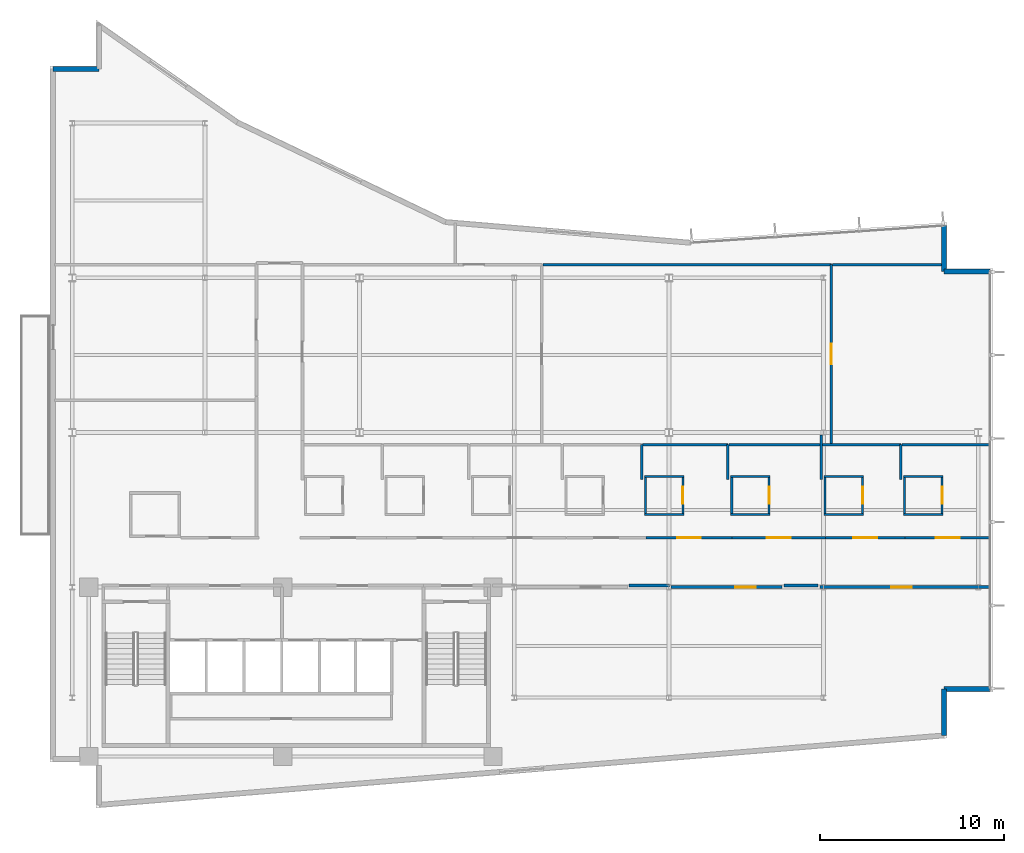
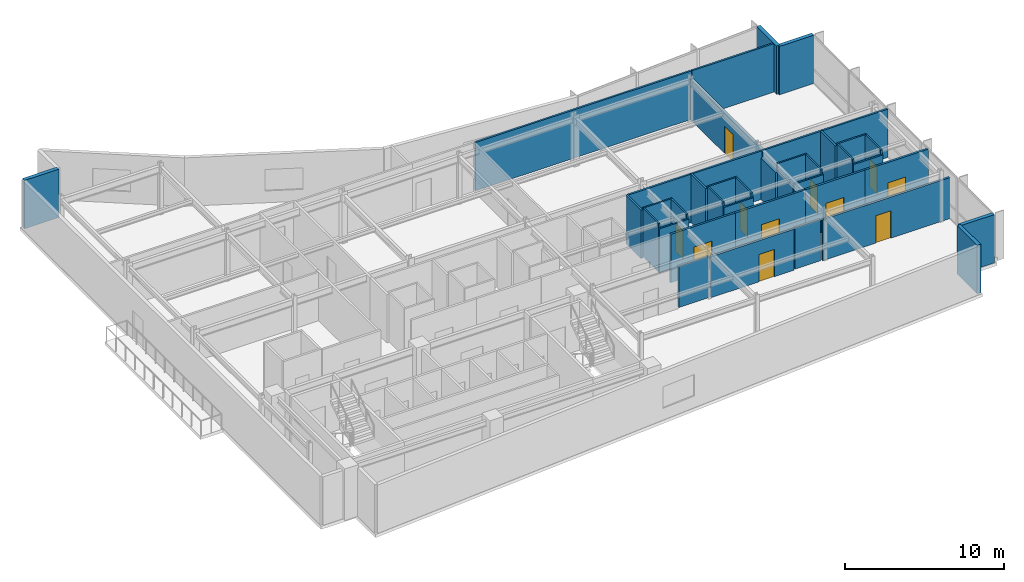
# One storey, part 13 of 17: 40 walls, 11 doors, 11 openings.
"""IFC4 building model written with IfcOpenShell, lengths in metres."""

from ifc_helpers import new_model, si_unit, direction, frame, frame_2d, origin, place, context, subcontext, project, spatial, rectangle, extrude, material, layer, layer_set, type_object, element, fill, save


model = new_model("IFC4")

# Units and contexts
model_context = context("Model", 3, precision=1e-05, world=origin(), true_north=direction((0.0, 1.0)))
body_context = subcontext(model_context, "Body", "Model", "MODEL_VIEW")
ifc_project = project(units=[si_unit("LENGTHUNIT", "METRE"), si_unit("AREAUNIT", "SQUARE_METRE"), si_unit("VOLUMEUNIT", "CUBIC_METRE"), si_unit("PLANEANGLEUNIT", "RADIAN"), si_unit("MASSUNIT", "GRAM", prefix="KILO")], contexts=[model_context])

# Site, building, storey
site_placement = place(None, origin())
site = spatial("IfcSite", under=ifc_project, at=site_placement, CompositionType="ELEMENT")
building_placement = place(site_placement, origin())
building = spatial("IfcBuilding", under=site, at=building_placement, Name="Varnakote Quay Hospital", CompositionType="ELEMENT")
storey_placement = place(building_placement, frame((0.0, 0.0, 227.64990234375)))
storey = spatial("IfcBuildingStorey", under=building, at=storey_placement, Name="L56", CompositionType="ELEMENT", Elevation=227.64990234375)

# Walls
ifc_material_1 = material(Name="Fire-rated acoustic gypsum stud wall", Category="gypsum")
ifc_layer_1 = layer(ifc_material_1, 0.159912109375)
ifc_layer_set_1 = layer_set([ifc_layer_1], Name="Fire-rated acoustic gypsum stud wall")
wall_type_1 = type_object("IfcWallType", Name="WL-COMP-160", PredefinedType="PARTITIONING", material=ifc_layer_set_1)
wall_1_placement = place(storey_placement, frame((31.439208984375, 12.080078125, 0.0), z_axis=(0.0, 0.0, 1.0), x_axis=(1.0, 0.0, 0.0)))
element("IfcWall", 1, at=wall_1_placement, inside=storey, type_object=wall_type_1, Name="L56 Corridor South Gap Wall", PredefinedType="PARTITIONING", context=body_context, shape_type="SweptSolid", body=[
    extrude(rectangle(XDim=2.199462890625, YDim=0.159912109375, at=frame_2d((1.099609375, 0.0))), origin(), (0.0, 0.0, 1.0), 3.152099609375),
])
wall_2_placement = place(storey_placement, frame((39.83935546875, 12.080078125, 0.0), z_axis=(0.0, 0.0, 1.0), x_axis=(1.0, 0.0, 0.0)))
element("IfcWall", 2, at=wall_2_placement, inside=storey, type_object=wall_type_1, Name="L56 Corridor South Gap Wall", PredefinedType="PARTITIONING", context=body_context, shape_type="SweptSolid", body=[
    extrude(rectangle(XDim=1.871337890625, YDim=0.159912109375, at=frame_2d((0.935546875, 0.0))), origin(), (0.0, 0.0, 1.0), 3.152099609375),
])
ifc_material_2 = material(Name="Moisture-resistant bathroom partition", Category="gypsum")
ifc_layer_2 = layer(ifc_material_2, 0.114990234375)
ifc_layer_set_2 = layer_set([ifc_layer_2], Name="Moisture-resistant bathroom partition")
wall_type_2 = type_object("IfcWallType", Name="WL-ENS-115", PredefinedType="PARTITIONING", material=ifc_layer_set_2)
wall_3_placement = place(storey_placement, frame((32.264892578125, 15.952392578125, 0.0), z_axis=(0.0, 0.0, 1.0), x_axis=(1.0, 0.0, 0.0)))
element("IfcWall", 3, at=wall_3_placement, inside=storey, type_object=wall_type_2, Name="L56 Inpatient En-Suite Bathroom 05 S Wall", PredefinedType="PARTITIONING", context=body_context, shape_type="SweptSolid", body=[
    extrude(rectangle(XDim=2.150146484375, YDim=0.114990234375, at=frame_2d((1.0751953125, 0.0))), origin(), (0.0, 0.0, 1.0), 3.378173828125),
])
wall_4_placement = place(storey_placement, frame((32.264892578125, 18.017578125, 0.0), z_axis=(0.0, 0.0, 1.0), x_axis=(1.0, 0.0, 0.0)))
element("IfcWall", 4, at=wall_4_placement, inside=storey, type_object=wall_type_2, Name="L56 Inpatient En-Suite Bathroom 05 N Wall", PredefinedType="PARTITIONING", context=body_context, shape_type="SweptSolid", body=[
    extrude(rectangle(XDim=2.150146484375, YDim=0.114990234375, at=frame_2d((1.0751953125, 0.0))), origin(), (0.0, 0.0, 1.0), 3.710205078125),
])
wall_5_placement = place(storey_placement, frame((32.322509765625, 16.010009765625, 0.0), z_axis=(0.0, 0.0, 1.0), x_axis=(0.0, 1.0, 0.0)))
element("IfcWall", 5, at=wall_5_placement, inside=storey, type_object=wall_type_2, Name="L56 Inpatient En-Suite Bathroom 05 W Wall", PredefinedType="PARTITIONING", context=body_context, shape_type="SweptSolid", body=[
    extrude(rectangle(XDim=1.949951171875, YDim=0.114990234375, at=frame_2d((0.97509765625, 0.0))), origin(), (0.0, 0.0, 1.0), 3.710205078125),
])

# Wall, opening, door
wall_6_placement = place(storey_placement, frame((34.357421875, 16.010009765625, 0.0), z_axis=(0.0, 0.0, 1.0), x_axis=(0.0, 1.0, 0.0)))
wall_6 = element("IfcWall", 6, at=wall_6_placement, inside=storey, type_object=wall_type_2, Name="L56 Inpatient En-Suite Bathroom 05 E Wall", PredefinedType="PARTITIONING", context=body_context, shape_type="SweptSolid", body=[
    extrude(rectangle(XDim=1.949951171875, YDim=0.114990234375, at=frame_2d((0.97509765625, 0.0))), origin(), (0.0, 0.0, 1.0), 3.710205078125),
])
opening_1_placement = place(wall_6_placement, frame((0.514892578125, 0.0, 0.0)))
opening_1 = element("IfcOpeningElement", 7, at=opening_1_placement, cuts=wall_6, Name="Opening D-L56-ENS05", PredefinedType="OPENING", context=body_context, shape_type="SweptSolid", body=[
    extrude(rectangle(XDim=0.919921875, YDim=2.10009765625, at=frame_2d((0.4599609375, 1.050048828125))), frame((0.0, 0.0673828125, 0.0), z_axis=(0.0, -1.0, 0.0), x_axis=(1.0, 0.0, 0.0)), (0.0, 0.0, 1.0), 0.135009765625),
])
ifc_material_3 = material(Name="Moisture-sealed en-suite bathroom door")
door_type_1 = type_object("IfcDoorType", Name="DR-ENS-920x2100", OperationType="NOTDEFINED", PredefinedType="DOOR", material=ifc_material_3)
door_1_placement = place(opening_1_placement, origin())
door_1 = element("IfcDoor", 8, at=door_1_placement, inside=storey, type_object=door_type_1, Name="L56 Inpatient En-Suite Bathroom 05 Door", OperationType="SINGLE_SWING_LEFT", OverallHeight=2.10009765625, OverallWidth=0.919921875, PredefinedType="DOOR", context=body_context, shape_type="SweptSolid", body=[
    extrude(rectangle(XDim=0.919921875, YDim=2.10009765625, at=frame_2d((0.4599609375, 1.050048828125))), frame((0.0, 0.02490234375, 0.0), z_axis=(0.0, -1.0, 0.0), x_axis=(1.0, 0.0, 0.0)), (0.0, 0.0, 1.0), 0.050048828125),
])
fill(opening_1, door_1)

# Walls
wall_7_placement = place(storey_placement, frame((36.955078125, 15.952392578125, 0.0), z_axis=(0.0, 0.0, 1.0), x_axis=(1.0, 0.0, 0.0)))
element("IfcWall", 9, at=wall_7_placement, inside=storey, type_object=wall_type_2, Name="L56 Inpatient En-Suite Bathroom 06 S Wall", PredefinedType="PARTITIONING", context=body_context, shape_type="SweptSolid", body=[
    extrude(rectangle(XDim=2.14990234375, YDim=0.114990234375, at=frame_2d((1.074951171875, 0.0))), origin(), (0.0, 0.0, 1.0), 3.378173828125),
])
wall_8_placement = place(storey_placement, frame((36.955078125, 18.017578125, 0.0), z_axis=(0.0, 0.0, 1.0), x_axis=(1.0, 0.0, 0.0)))
element("IfcWall", 10, at=wall_8_placement, inside=storey, type_object=wall_type_2, Name="L56 Inpatient En-Suite Bathroom 06 N Wall", PredefinedType="PARTITIONING", context=body_context, shape_type="SweptSolid", body=[
    extrude(rectangle(XDim=2.14990234375, YDim=0.114990234375, at=frame_2d((1.074951171875, 0.0))), origin(), (0.0, 0.0, 1.0), 3.710205078125),
])
wall_9_placement = place(storey_placement, frame((37.012451171875, 16.010009765625, 0.0), z_axis=(0.0, 0.0, 1.0), x_axis=(0.0, 1.0, 0.0)))
element("IfcWall", 11, at=wall_9_placement, inside=storey, type_object=wall_type_2, Name="L56 Inpatient En-Suite Bathroom 06 W Wall", PredefinedType="PARTITIONING", context=body_context, shape_type="SweptSolid", body=[
    extrude(rectangle(XDim=1.949951171875, YDim=0.114990234375, at=frame_2d((0.97509765625, 0.0))), origin(), (0.0, 0.0, 1.0), 3.710205078125),
])

# Wall, opening, door
wall_10_placement = place(storey_placement, frame((39.047607421875, 16.010009765625, 0.0), z_axis=(0.0, 0.0, 1.0), x_axis=(0.0, 1.0, 0.0)))
wall_10 = element("IfcWall", 12, at=wall_10_placement, inside=storey, type_object=wall_type_2, Name="L56 Inpatient En-Suite Bathroom 06 E Wall", PredefinedType="PARTITIONING", context=body_context, shape_type="SweptSolid", body=[
    extrude(rectangle(XDim=1.949951171875, YDim=0.114990234375, at=frame_2d((0.97509765625, 0.0))), origin(), (0.0, 0.0, 1.0), 3.710205078125),
])
opening_2_placement = place(wall_10_placement, frame((0.514892578125, 0.0, 0.0)))
opening_2 = element("IfcOpeningElement", 13, at=opening_2_placement, cuts=wall_10, Name="Opening D-L56-ENS06", PredefinedType="OPENING", context=body_context, shape_type="SweptSolid", body=[
    extrude(rectangle(XDim=0.919921875, YDim=2.10009765625, at=frame_2d((0.4599609375, 1.050048828125))), frame((0.0, 0.0673828125, 0.0), z_axis=(0.0, -1.0, 0.0), x_axis=(1.0, 0.0, 0.0)), (0.0, 0.0, 1.0), 0.135009765625),
])
door_2_placement = place(opening_2_placement, origin())
door_2 = element("IfcDoor", 14, at=door_2_placement, inside=storey, type_object=door_type_1, Name="L56 Inpatient En-Suite Bathroom 06 Door", OperationType="SINGLE_SWING_RIGHT", OverallHeight=2.10009765625, OverallWidth=0.919921875, PredefinedType="DOOR", context=body_context, shape_type="SweptSolid", body=[
    extrude(rectangle(XDim=0.919921875, YDim=2.10009765625, at=frame_2d((0.4599609375, 1.050048828125))), frame((0.0, 0.02490234375, 0.0), z_axis=(0.0, -1.0, 0.0), x_axis=(1.0, 0.0, 0.0)), (0.0, 0.0, 1.0), 0.050048828125),
])
fill(opening_2, door_2)

# Walls
wall_11_placement = place(storey_placement, frame((42.02490234375, 15.952392578125, 0.0), z_axis=(0.0, 0.0, 1.0), x_axis=(1.0, 0.0, 0.0)))
element("IfcWall", 15, at=wall_11_placement, inside=storey, type_object=wall_type_2, Name="L56 Inpatient En-Suite Bathroom 07 S Wall", PredefinedType="PARTITIONING", context=body_context, shape_type="SweptSolid", body=[
    extrude(rectangle(XDim=2.150146484375, YDim=0.114990234375, at=frame_2d((1.0751953125, 0.0))), origin(), (0.0, 0.0, 1.0), 3.378173828125),
])
wall_12_placement = place(storey_placement, frame((42.02490234375, 18.017578125, 0.0), z_axis=(0.0, 0.0, 1.0), x_axis=(1.0, 0.0, 0.0)))
element("IfcWall", 16, at=wall_12_placement, inside=storey, type_object=wall_type_2, Name="L56 Inpatient En-Suite Bathroom 07 N Wall", PredefinedType="PARTITIONING", context=body_context, shape_type="SweptSolid", body=[
    extrude(rectangle(XDim=2.150146484375, YDim=0.114990234375, at=frame_2d((1.0751953125, 0.0))), origin(), (0.0, 0.0, 1.0), 3.710205078125),
])
wall_13_placement = place(storey_placement, frame((42.08251953125, 16.010009765625, 0.0), z_axis=(0.0, 0.0, 1.0), x_axis=(0.0, 1.0, 0.0)))
element("IfcWall", 17, at=wall_13_placement, inside=storey, type_object=wall_type_2, Name="L56 Inpatient En-Suite Bathroom 07 W Wall", PredefinedType="PARTITIONING", context=body_context, shape_type="SweptSolid", body=[
    extrude(rectangle(XDim=1.949951171875, YDim=0.114990234375, at=frame_2d((0.97509765625, 0.0))), origin(), (0.0, 0.0, 1.0), 3.156982421875),
])

# Wall, opening, door
wall_14_placement = place(storey_placement, frame((44.117431640625, 16.010009765625, 0.0), z_axis=(0.0, 0.0, 1.0), x_axis=(0.0, 1.0, 0.0)))
wall_14 = element("IfcWall", 18, at=wall_14_placement, inside=storey, type_object=wall_type_2, Name="L56 Inpatient En-Suite Bathroom 07 E Wall", PredefinedType="PARTITIONING", context=body_context, shape_type="SweptSolid", body=[
    extrude(rectangle(XDim=1.949951171875, YDim=0.114990234375, at=frame_2d((0.97509765625, 0.0))), origin(), (0.0, 0.0, 1.0), 3.710205078125),
])
opening_3_placement = place(wall_14_placement, frame((0.514892578125, 0.0, 0.0)))
opening_3 = element("IfcOpeningElement", 19, at=opening_3_placement, cuts=wall_14, Name="Opening D-L56-ENS07", PredefinedType="OPENING", context=body_context, shape_type="SweptSolid", body=[
    extrude(rectangle(XDim=0.919921875, YDim=2.10009765625, at=frame_2d((0.4599609375, 1.050048828125))), frame((0.0, 0.0673828125, 0.0), z_axis=(0.0, -1.0, 0.0), x_axis=(1.0, 0.0, 0.0)), (0.0, 0.0, 1.0), 0.135009765625),
])
door_3_placement = place(opening_3_placement, origin())
door_3 = element("IfcDoor", 20, at=door_3_placement, inside=storey, type_object=door_type_1, Name="L56 Inpatient En-Suite Bathroom 07 Door", OperationType="SINGLE_SWING_LEFT", OverallHeight=2.10009765625, OverallWidth=0.919921875, PredefinedType="DOOR", context=body_context, shape_type="SweptSolid", body=[
    extrude(rectangle(XDim=0.919921875, YDim=2.10009765625, at=frame_2d((0.4599609375, 1.050048828125))), frame((0.0, 0.02490234375, 0.0), z_axis=(0.0, -1.0, 0.0), x_axis=(1.0, 0.0, 0.0)), (0.0, 0.0, 1.0), 0.050048828125),
])
fill(opening_3, door_3)

# Walls
wall_15_placement = place(storey_placement, frame((46.344970703125, 15.952392578125, 0.0), z_axis=(0.0, 0.0, 1.0), x_axis=(1.0, 0.0, 0.0)))
element("IfcWall", 21, at=wall_15_placement, inside=storey, type_object=wall_type_2, Name="L56 Inpatient En-Suite Bathroom 08 S Wall", PredefinedType="PARTITIONING", context=body_context, shape_type="SweptSolid", body=[
    extrude(rectangle(XDim=2.150146484375, YDim=0.114990234375, at=frame_2d((1.0751953125, 0.0))), origin(), (0.0, 0.0, 1.0), 3.378173828125),
])
wall_16_placement = place(storey_placement, frame((46.344970703125, 18.017578125, 0.0), z_axis=(0.0, 0.0, 1.0), x_axis=(1.0, 0.0, 0.0)))
element("IfcWall", 22, at=wall_16_placement, inside=storey, type_object=wall_type_2, Name="L56 Inpatient En-Suite Bathroom 08 N Wall", PredefinedType="PARTITIONING", context=body_context, shape_type="SweptSolid", body=[
    extrude(rectangle(XDim=2.150146484375, YDim=0.114990234375, at=frame_2d((1.0751953125, 0.0))), origin(), (0.0, 0.0, 1.0), 3.710205078125),
])
wall_17_placement = place(storey_placement, frame((46.402587890625, 16.010009765625, 0.0), z_axis=(0.0, 0.0, 1.0), x_axis=(0.0, 1.0, 0.0)))
element("IfcWall", 23, at=wall_17_placement, inside=storey, type_object=wall_type_2, Name="L56 Inpatient En-Suite Bathroom 08 W Wall", PredefinedType="PARTITIONING", context=body_context, shape_type="SweptSolid", body=[
    extrude(rectangle(XDim=1.949951171875, YDim=0.114990234375, at=frame_2d((0.97509765625, 0.0))), origin(), (0.0, 0.0, 1.0), 3.710205078125),
])

# Wall, opening, door
wall_18_placement = place(storey_placement, frame((48.4375, 16.010009765625, 0.0), z_axis=(0.0, 0.0, 1.0), x_axis=(0.0, 1.0, 0.0)))
wall_18 = element("IfcWall", 24, at=wall_18_placement, inside=storey, type_object=wall_type_2, Name="L56 Inpatient En-Suite Bathroom 08 E Wall", PredefinedType="PARTITIONING", context=body_context, shape_type="SweptSolid", body=[
    extrude(rectangle(XDim=1.949951171875, YDim=0.114990234375, at=frame_2d((0.97509765625, 0.0))), origin(), (0.0, 0.0, 1.0), 3.710205078125),
])
opening_4_placement = place(wall_18_placement, frame((0.514892578125, 0.0, 0.0)))
opening_4 = element("IfcOpeningElement", 25, at=opening_4_placement, cuts=wall_18, Name="Opening D-L56-ENS08", PredefinedType="OPENING", context=body_context, shape_type="SweptSolid", body=[
    extrude(rectangle(XDim=0.919921875, YDim=2.10009765625, at=frame_2d((0.4599609375, 1.050048828125))), frame((0.0, 0.0673828125, 0.0), z_axis=(0.0, -1.0, 0.0), x_axis=(1.0, 0.0, 0.0)), (0.0, 0.0, 1.0), 0.135009765625),
])
door_4_placement = place(opening_4_placement, origin())
door_4 = element("IfcDoor", 26, at=door_4_placement, inside=storey, type_object=door_type_1, Name="L56 Inpatient En-Suite Bathroom 08 Door", OperationType="SINGLE_SWING_RIGHT", OverallHeight=2.10009765625, OverallWidth=0.919921875, PredefinedType="DOOR", context=body_context, shape_type="SweptSolid", body=[
    extrude(rectangle(XDim=0.919921875, YDim=2.10009765625, at=frame_2d((0.4599609375, 1.050048828125))), frame((0.0, 0.02490234375, 0.0), z_axis=(0.0, -1.0, 0.0), x_axis=(1.0, 0.0, 0.0)), (0.0, 0.0, 1.0), 0.050048828125),
])
fill(opening_4, door_4)

# Walls
ifc_material_4 = material(Name="Precast concrete N50 (f'c 50 MPa)", Category="concrete")
ifc_layer_3 = layer(ifc_material_4, 0.260009765625)
ifc_layer_set_3 = layer_set([ifc_layer_3], Name="Precast concrete N50 (f'c 50 MPa)")
wall_type_3 = type_object("IfcWallType", Name="WL-EXT-BRICK-260", PredefinedType="STANDARD", material=ifc_layer_set_3)
wall_19_placement = place(storey_placement, frame((48.5400390625, 3.947509765625, 0.0), z_axis=(0.0, 0.0, 1.0), x_axis=(0.0, 1.0, 0.0)))
element("IfcWall", 27, at=wall_19_placement, inside=storey, type_object=wall_type_3, Name="L56 Brick-Faced Precast Exterior Wall", PredefinedType="STANDARD", context=body_context, shape_type="SweptSolid", body=[
    extrude(rectangle(XDim=2.512451171875, YDim=0.260009765625, at=frame_2d((1.25634765625, 0.0))), origin(), (0.0, 0.0, 1.0), 3.710205078125),
])
for number, where, z_axis, x_axis, name in (
    (28, (48.5400390625, 6.4599609375, 0.0), (0.0, 0.0, 1.0), (1.0, 0.0, 0.0), "L56 Brick-Faced Precast Exterior Wall"),
    (29, (51.0400390625, 29.139892578125, 0.0), (0.0, 0.0, 1.0), (-1.0, 0.0, 0.0), "L56 Brick-Faced Precast Exterior Wall"),
):
    element("IfcWall", number, at=place(storey_placement, frame(where, z_axis=z_axis, x_axis=x_axis)), inside=storey, type_object=wall_type_3, Name=name, PredefinedType="STANDARD", context=body_context, shape_type="SweptSolid", body=[
        extrude(rectangle(XDim=2.5, YDim=0.260009765625, at=frame_2d((1.25, 0.0))), origin(), (0.0, 0.0, 1.0), 3.710205078125),
    ])
wall_20_placement = place(storey_placement, frame((48.5400390625, 29.139892578125, 0.0), z_axis=(0.0, 0.0, 1.0), x_axis=(0.0, 1.0, 0.0)))
element("IfcWall", 30, at=wall_20_placement, inside=storey, type_object=wall_type_3, Name="L56 Brick-Faced Precast Exterior Wall", PredefinedType="STANDARD", context=body_context, shape_type="SweptSolid", body=[
    extrude(rectangle(XDim=2.489013671875, YDim=0.260009765625, at=frame_2d((1.24462890625, 0.0))), origin(), (0.0, 0.0, 1.0), 3.710205078125),
])
wall_21_placement = place(storey_placement, frame((2.659912109375, 40.139892578125, 0.0), z_axis=(0.0, 0.0, 1.0), x_axis=(-1.0, 0.0, 0.0)))
element("IfcWall", 31, at=wall_21_placement, inside=storey, type_object=wall_type_3, Name="L56 Brick-Faced Precast Exterior Wall", PredefinedType="STANDARD", context=body_context, shape_type="SweptSolid", body=[
    extrude(rectangle(XDim=2.5, YDim=0.260009765625, at=frame_2d((1.25, 0.0))), origin(), (0.0, 0.0, 1.0), 3.710205078125),
])
ifc_material_5 = material(Name="Smoke-proof clinical partition", Category="gypsum")
ifc_layer_4 = layer(ifc_material_5, 0.135009765625)
ifc_layer_set_4 = layer_set([ifc_layer_4], Name="Smoke-proof clinical partition")
wall_type_4 = type_object("IfcWallType", Name="WL-SMOKE-135", PredefinedType="PARTITIONING", material=ifc_layer_set_4)
for number, where, z_axis, x_axis, name in (
    (32, (32.1201171875, 17.83251953125, 0.0), (0.0, 0.0, 1.0), (0.0, 1.0, 0.0), "L56 Clinical Interior Partition"),
    (33, (36.81005859375, 17.83251953125, 0.0), (0.0, 0.0, 1.0), (0.0, 1.0, 0.0), "L56 Clinical Interior Partition"),
):
    element("IfcWall", number, at=place(storey_placement, frame(where, z_axis=z_axis, x_axis=x_axis)), inside=storey, type_object=wall_type_4, Name=name, PredefinedType="PARTITIONING", context=body_context, shape_type="SweptSolid", body=[
        extrude(rectangle(XDim=1.907470703125, YDim=0.135009765625, at=frame_2d((0.95361328125, 0.0))), origin(), (0.0, 0.0, 1.0), 3.710205078125),
    ])
wall_22_placement = place(storey_placement, frame((36.81005859375, 19.739990234375, 0.0), z_axis=(0.0, 0.0, 1.0), x_axis=(-1.0, 0.0, 0.0)))
element("IfcWall", 34, at=wall_22_placement, inside=storey, type_object=wall_type_4, Name="L56 Clinical Interior Partition", PredefinedType="PARTITIONING", context=body_context, shape_type="SweptSolid", body=[
    extrude(rectangle(XDim=4.632568359375, YDim=0.135009765625, at=frame_2d((2.31640625, 0.0))), origin(), (0.0, 0.0, 1.0), 3.710205078125),
])
wall_23_placement = place(storey_placement, frame((41.8798828125, 17.83251953125, 0.0), z_axis=(0.0, 0.0, 1.0), x_axis=(0.0, 1.0, 0.0)))
element("IfcWall", 35, at=wall_23_placement, inside=storey, type_object=wall_type_4, Name="L56 Clinical Interior Partition", PredefinedType="PARTITIONING", context=body_context, shape_type="SweptSolid", body=[
    extrude(rectangle(XDim=2.4375, YDim=0.135009765625, at=frame_2d((1.21875, 0.0))), origin(), (0.0, 0.0, 1.0), 3.156982421875),
])
wall_24_placement = place(storey_placement, frame((41.8798828125, 19.739990234375, 0.0), z_axis=(0.0, 0.0, 1.0), x_axis=(-1.0, 0.0, 0.0)))
element("IfcWall", 36, at=wall_24_placement, inside=storey, type_object=wall_type_4, Name="L56 Clinical Interior Partition", PredefinedType="PARTITIONING", context=body_context, shape_type="SweptSolid", body=[
    extrude(rectangle(XDim=5.012451171875, YDim=0.135009765625, at=frame_2d((2.50634765625, 0.0))), origin(), (0.0, 0.0, 1.0), 3.710205078125),
])
wall_25_placement = place(storey_placement, frame((46.199951171875, 17.83251953125, 0.0), z_axis=(0.0, 0.0, 1.0), x_axis=(0.0, 1.0, 0.0)))
element("IfcWall", 37, at=wall_25_placement, inside=storey, type_object=wall_type_4, Name="L56 Clinical Interior Partition", PredefinedType="PARTITIONING", context=body_context, shape_type="SweptSolid", body=[
    extrude(rectangle(XDim=1.907470703125, YDim=0.135009765625, at=frame_2d((0.95361328125, 0.0))), origin(), (0.0, 0.0, 1.0), 3.710205078125),
])
wall_26_placement = place(storey_placement, frame((46.199951171875, 19.739990234375, 0.0), z_axis=(0.0, 0.0, 1.0), x_axis=(-1.0, 0.0, 0.0)))
element("IfcWall", 38, at=wall_26_placement, inside=storey, type_object=wall_type_4, Name="L56 Clinical Interior Partition", PredefinedType="PARTITIONING", context=body_context, shape_type="SweptSolid", body=[
    extrude(rectangle(XDim=4.262451171875, YDim=0.135009765625, at=frame_2d((2.13134765625, 0.0))), origin(), (0.0, 0.0, 1.0), 3.710205078125),
])
wall_27_placement = place(storey_placement, frame((51.0400390625, 19.739990234375, 0.0), z_axis=(0.0, 0.0, 1.0), x_axis=(-1.0, 0.0, 0.0)))
element("IfcWall", 39, at=wall_27_placement, inside=storey, type_object=wall_type_4, Name="L56 Clinical Interior Partition", PredefinedType="PARTITIONING", context=body_context, shape_type="SweptSolid", body=[
    extrude(rectangle(XDim=4.782470703125, YDim=0.135009765625, at=frame_2d((2.39111328125, 0.0))), origin(), (0.0, 0.0, 1.0), 3.710205078125),
])

# Wall, opening, door
wall_28_placement = place(storey_placement, frame((42.419921875, 19.797607421875, 0.0), z_axis=(0.0, 0.0, 1.0), x_axis=(0.0, 1.0, 0.0)))
wall_28 = element("IfcWall", 40, at=wall_28_placement, inside=storey, type_object=wall_type_4, Name="L56 Clinical Interior Partition", PredefinedType="PARTITIONING", context=body_context, shape_type="SweptSolid", body=[
    extrude(rectangle(XDim=9.722412109375, YDim=0.135009765625, at=frame_2d((4.861328125, 0.0))), origin(), (0.0, 0.0, 1.0), 3.156982421875),
])
opening_5_placement = place(wall_28_placement, frame((4.311279296875, 0.0, 0.0)))
opening_5 = element("IfcOpeningElement", 41, at=opening_5_placement, cuts=wall_28, Name="Opening D-L56-MD04", PredefinedType="OPENING", context=body_context, shape_type="SweptSolid", body=[
    extrude(rectangle(XDim=1.10009765625, YDim=2.10009765625, at=frame_2d((0.550048828125, 1.050048828125))), frame((0.0, 0.077392578125, 0.0), z_axis=(0.0, -1.0, 0.0), x_axis=(1.0, 0.0, 0.0)), (0.0, 0.0, 1.0), 0.155029296875),
])
ifc_material_6 = material(Name="Acoustic timber clinical consult door", Category="wood")
door_type_2 = type_object("IfcDoorType", Name="DR-CLIN-FD30S-1100x2100", OperationType="NOTDEFINED", PredefinedType="DOOR", material=ifc_material_6)
door_5_placement = place(opening_5_placement, origin())
door_5 = element("IfcDoor", 42, at=door_5_placement, inside=storey, type_object=door_type_2, Name="L56 Clinical Research Teaching Room Door", OperationType="SINGLE_SWING_RIGHT", OverallHeight=2.10009765625, OverallWidth=1.10009765625, PredefinedType="DOOR", context=body_context, shape_type="SweptSolid", body=[
    extrude(rectangle(XDim=1.10009765625, YDim=2.10009765625, at=frame_2d((0.550048828125, 1.050048828125))), frame((0.0, 0.02490234375, 0.0), z_axis=(0.0, -1.0, 0.0), x_axis=(1.0, 0.0, 0.0)), (0.0, 0.0, 1.0), 0.050048828125),
])
fill(opening_5, door_5)

# Walls
wall_29_placement = place(storey_placement, frame((42.419921875, 29.52001953125, 0.0), z_axis=(0.0, 0.0, 1.0), x_axis=(-1.0, 0.0, 0.0)))
element("IfcWall", 43, at=wall_29_placement, inside=storey, type_object=wall_type_4, Name="L56 Clinical Interior Partition", PredefinedType="PARTITIONING", context=body_context, shape_type="SweptSolid", body=[
    extrude(rectangle(XDim=15.662353515625, YDim=0.135009765625, at=frame_2d((7.8310546875, 0.0))), origin(), (0.0, 0.0, 1.0), 3.710205078125),
])
wall_30_placement = place(storey_placement, frame((48.5400390625, 29.52001953125, 0.0), z_axis=(0.0, 0.0, 1.0), x_axis=(-1.0, 0.0, 0.0)))
element("IfcWall", 44, at=wall_30_placement, inside=storey, type_object=wall_type_4, Name="L56 Clinical Interior Partition", PredefinedType="PARTITIONING", context=body_context, shape_type="SweptSolid", body=[
    extrude(rectangle(XDim=6.0625, YDim=0.135009765625, at=frame_2d((3.03125, 0.0))), origin(), (0.0, 0.0, 1.0), 3.710205078125),
])

# Wall, opening, door
ifc_material_7 = material(Name="Fire-rated clinical gypsum partition", Category="gypsum")
ifc_layer_5 = layer(ifc_material_7, 0.14990234375)
ifc_layer_set_5 = layer_set([ifc_layer_5], Name="Fire-rated clinical gypsum partition")
wall_type_5 = type_object("IfcWallType", Name="WL-WARD-150", PredefinedType="PARTITIONING", material=ifc_layer_set_5)
wall_31_placement = place(storey_placement, frame((39.75, 12.0, 0.0), z_axis=(0.0, 0.0, 1.0), x_axis=(-1.0, 0.0, 0.0)))
wall_31 = element("IfcWall", 45, at=wall_31_placement, inside=storey, type_object=wall_type_5, Name="L56 Clinical Interior Partition", PredefinedType="PARTITIONING", context=body_context, shape_type="SweptSolid", body=[
    extrude(rectangle(XDim=6.02197265625, YDim=0.14990234375, at=frame_2d((3.010986328125, 0.0))), origin(), (0.0, 0.0, 1.0), 3.152099609375),
])
opening_6_placement = place(wall_31_placement, frame((1.443603515625, 0.0, 0.0)))
opening_6 = element("IfcOpeningElement", 46, at=opening_6_placement, cuts=wall_31, Name="Opening D-L56-RM1", PredefinedType="OPENING", context=body_context, shape_type="SweptSolid", body=[
    extrude(rectangle(XDim=1.10009765625, YDim=2.10009765625, at=frame_2d((0.550048828125, 1.050048828125))), frame((0.0, 0.0849609375, 0.0), z_axis=(0.0, -1.0, 0.0), x_axis=(1.0, 0.0, 0.0)), (0.0, 0.0, 1.0), 0.169921875),
])
door_6_placement = place(opening_6_placement, origin())
door_6 = element("IfcDoor", 47, at=door_6_placement, inside=storey, type_object=door_type_2, Name="L56 Cardiac Telemetry Treatment Suite Door", OperationType="SINGLE_SWING_RIGHT", OverallHeight=2.10009765625, OverallWidth=1.10009765625, PredefinedType="DOOR", context=body_context, shape_type="SweptSolid", body=[
    extrude(rectangle(XDim=1.10009765625, YDim=2.10009765625, at=frame_2d((0.550048828125, 1.050048828125))), frame((0.0, 0.02490234375, 0.0), z_axis=(0.0, -1.0, 0.0), x_axis=(1.0, 0.0, 0.0)), (0.0, 0.0, 1.0), 0.050048828125),
])
fill(opening_6, door_6)

wall_32_placement = place(storey_placement, frame((51.0400390625, 12.0, 0.0), z_axis=(0.0, 0.0, 1.0), x_axis=(-1.0, 0.0, 0.0)))
wall_32 = element("IfcWall", 48, at=wall_32_placement, inside=storey, type_object=wall_type_5, Name="L56 Clinical Interior Partition", PredefinedType="PARTITIONING", context=body_context, shape_type="SweptSolid", body=[
    extrude(rectangle(XDim=9.239990234375, YDim=0.14990234375, at=frame_2d((4.6201171875, 0.0))), origin(), (0.0, 0.0, 1.0), 3.152099609375),
])
opening_7_placement = place(wall_32_placement, frame((4.263427734375, 0.0, 0.0)))
opening_7 = element("IfcOpeningElement", 49, at=opening_7_placement, cuts=wall_32, Name="Opening D-L56-SE1", PredefinedType="OPENING", context=body_context, shape_type="SweptSolid", body=[
    extrude(rectangle(XDim=1.10009765625, YDim=2.10009765625, at=frame_2d((0.550048828125, 1.050048828125))), frame((0.0, 0.0849609375, 0.0), z_axis=(0.0, -1.0, 0.0), x_axis=(1.0, 0.0, 0.0)), (0.0, 0.0, 1.0), 0.169921875),
])
door_7_placement = place(opening_7_placement, origin())
door_7 = element("IfcDoor", 50, at=door_7_placement, inside=storey, type_object=door_type_2, Name="L56 Clinical Biomedical Engineering Office Door", OperationType="SINGLE_SWING_LEFT", OverallHeight=2.10009765625, OverallWidth=1.10009765625, PredefinedType="DOOR", context=body_context, shape_type="SweptSolid", body=[
    extrude(rectangle(XDim=1.10009765625, YDim=2.10009765625, at=frame_2d((0.550048828125, 1.050048828125))), frame((0.0, 0.02490234375, 0.0), z_axis=(0.0, -1.0, 0.0), x_axis=(1.0, 0.0, 0.0)), (0.0, 0.0, 1.0), 0.050048828125),
])
fill(opening_7, door_7)

wall_33_placement = place(storey_placement, frame((37.035888671875, 14.679931640625, 0.0), z_axis=(0.0, 0.0, 1.0), x_axis=(-1.0, 0.0, 0.0)))
wall_33 = element("IfcWall", 51, at=wall_33_placement, inside=storey, type_object=wall_type_5, Name="L56 Clinical Interior Partition", PredefinedType="PARTITIONING", context=body_context, shape_type="SweptSolid", body=[
    extrude(rectangle(XDim=4.68798828125, YDim=0.14990234375, at=frame_2d((2.343994140625, 0.0))), origin(), (0.0, 0.0, 1.0), 3.710205078125),
])
opening_8_placement = place(wall_33_placement, frame((1.694091796875, 0.0, 0.0)))
opening_8 = element("IfcOpeningElement", 52, at=opening_8_placement, cuts=wall_33, Name="Opening D-L56-BR05", PredefinedType="OPENING", context=body_context, shape_type="SweptSolid", body=[
    extrude(rectangle(XDim=1.300048828125, YDim=2.14990234375, at=frame_2d((0.64990234375, 1.074951171875))), frame((0.0, 0.0849609375, 0.0), z_axis=(0.0, -1.0, 0.0), x_axis=(1.0, 0.0, 0.0)), (0.0, 0.0, 1.0), 0.169921875),
])
ifc_material_8 = material(Name="Solid-core timber clinical bed door", Category="wood")
door_type_3 = type_object("IfcDoorType", Name="DR-WARD-FD30S-1300x2150", OperationType="NOTDEFINED", PredefinedType="DOOR", material=ifc_material_8)
door_8_placement = place(opening_8_placement, origin())
door_8 = element("IfcDoor", 53, at=door_8_placement, inside=storey, type_object=door_type_3, Name="L56 Resident Care Bedroom 05 Door", OperationType="SINGLE_SWING_LEFT", OverallHeight=2.14990234375, OverallWidth=1.300048828125, PredefinedType="DOOR", context=body_context, shape_type="SweptSolid", body=[
    extrude(rectangle(XDim=1.300048828125, YDim=2.14990234375, at=frame_2d((0.64990234375, 1.074951171875))), frame((0.0, 0.02490234375, 0.0), z_axis=(0.0, -1.0, 0.0), x_axis=(1.0, 0.0, 0.0)), (0.0, 0.0, 1.0), 0.050048828125),
])
fill(opening_8, door_8)

wall_34_placement = place(storey_placement, frame((42.10595703125, 14.679931640625, 0.0), z_axis=(0.0, 0.0, 1.0), x_axis=(-1.0, 0.0, 0.0)))
wall_34 = element("IfcWall", 54, at=wall_34_placement, inside=storey, type_object=wall_type_5, Name="L56 Clinical Interior Partition", PredefinedType="PARTITIONING", context=body_context, shape_type="SweptSolid", body=[
    extrude(rectangle(XDim=5.06787109375, YDim=0.14990234375, at=frame_2d((2.533935546875, 0.0))), origin(), (0.0, 0.0, 1.0), 3.710205078125),
])
opening_9_placement = place(wall_34_placement, frame((1.884033203125, 0.0, 0.0)))
opening_9 = element("IfcOpeningElement", 55, at=opening_9_placement, cuts=wall_34, Name="Opening D-L56-BR06", PredefinedType="OPENING", context=body_context, shape_type="SweptSolid", body=[
    extrude(rectangle(XDim=1.300048828125, YDim=2.14990234375, at=frame_2d((0.64990234375, 1.074951171875))), frame((0.0, 0.0849609375, 0.0), z_axis=(0.0, -1.0, 0.0), x_axis=(1.0, 0.0, 0.0)), (0.0, 0.0, 1.0), 0.169921875),
])
door_9_placement = place(opening_9_placement, origin())
door_9 = element("IfcDoor", 56, at=door_9_placement, inside=storey, type_object=door_type_3, Name="L56 Resident Care Bedroom 06 Door", OperationType="SINGLE_SWING_RIGHT", OverallHeight=2.14990234375, OverallWidth=1.300048828125, PredefinedType="DOOR", context=body_context, shape_type="SweptSolid", body=[
    extrude(rectangle(XDim=1.300048828125, YDim=2.14990234375, at=frame_2d((0.64990234375, 1.074951171875))), frame((0.0, 0.02490234375, 0.0), z_axis=(0.0, -1.0, 0.0), x_axis=(1.0, 0.0, 0.0)), (0.0, 0.0, 1.0), 0.050048828125),
])
fill(opening_9, door_9)

wall_35_placement = place(storey_placement, frame((46.426025390625, 14.679931640625, 0.0), z_axis=(0.0, 0.0, 1.0), x_axis=(-1.0, 0.0, 0.0)))
wall_35 = element("IfcWall", 57, at=wall_35_placement, inside=storey, type_object=wall_type_5, Name="L56 Clinical Interior Partition", PredefinedType="PARTITIONING", context=body_context, shape_type="SweptSolid", body=[
    extrude(rectangle(XDim=4.318115234375, YDim=0.14990234375, at=frame_2d((2.1591796875, 0.0))), origin(), (0.0, 0.0, 1.0), 3.710205078125),
])
opening_10_placement = place(wall_35_placement, frame((1.509033203125, 0.0, 0.0)))
opening_10 = element("IfcOpeningElement", 58, at=opening_10_placement, cuts=wall_35, Name="Opening D-L56-BR07", PredefinedType="OPENING", context=body_context, shape_type="SweptSolid", body=[
    extrude(rectangle(XDim=1.300048828125, YDim=2.14990234375, at=frame_2d((0.64990234375, 1.074951171875))), frame((0.0, 0.0849609375, 0.0), z_axis=(0.0, -1.0, 0.0), x_axis=(1.0, 0.0, 0.0)), (0.0, 0.0, 1.0), 0.169921875),
])
door_10_placement = place(opening_10_placement, origin())
door_10 = element("IfcDoor", 59, at=door_10_placement, inside=storey, type_object=door_type_3, Name="L56 Resident Care Bedroom 07 Door", OperationType="SINGLE_SWING_LEFT", OverallHeight=2.14990234375, OverallWidth=1.300048828125, PredefinedType="DOOR", context=body_context, shape_type="SweptSolid", body=[
    extrude(rectangle(XDim=1.300048828125, YDim=2.14990234375, at=frame_2d((0.64990234375, 1.074951171875))), frame((0.0, 0.02490234375, 0.0), z_axis=(0.0, -1.0, 0.0), x_axis=(1.0, 0.0, 0.0)), (0.0, 0.0, 1.0), 0.050048828125),
])
fill(opening_10, door_10)

wall_36_placement = place(storey_placement, frame((51.0400390625, 14.679931640625, 0.0), z_axis=(0.0, 0.0, 1.0), x_axis=(-1.0, 0.0, 0.0)))
wall_36 = element("IfcWall", 60, at=wall_36_placement, inside=storey, type_object=wall_type_5, Name="L56 Clinical Interior Partition", PredefinedType="PARTITIONING", context=body_context, shape_type="SweptSolid", body=[
    extrude(rectangle(XDim=4.612060546875, YDim=0.14990234375, at=frame_2d((2.30615234375, 0.0))), origin(), (0.0, 0.0, 1.0), 3.710205078125),
])
opening_11_placement = place(wall_36_placement, frame((1.656005859375, 0.0, 0.0)))
opening_11 = element("IfcOpeningElement", 61, at=opening_11_placement, cuts=wall_36, Name="Opening D-L56-BR08", PredefinedType="OPENING", context=body_context, shape_type="SweptSolid", body=[
    extrude(rectangle(XDim=1.300048828125, YDim=2.14990234375, at=frame_2d((0.64990234375, 1.074951171875))), frame((0.0, 0.0849609375, 0.0), z_axis=(0.0, -1.0, 0.0), x_axis=(1.0, 0.0, 0.0)), (0.0, 0.0, 1.0), 0.169921875),
])
door_11_placement = place(opening_11_placement, origin())
door_11 = element("IfcDoor", 62, at=door_11_placement, inside=storey, type_object=door_type_3, Name="L56 Resident Care Bedroom 08 Door", OperationType="SINGLE_SWING_RIGHT", OverallHeight=2.14990234375, OverallWidth=1.300048828125, PredefinedType="DOOR", context=body_context, shape_type="SweptSolid", body=[
    extrude(rectangle(XDim=1.300048828125, YDim=2.14990234375, at=frame_2d((0.64990234375, 1.074951171875))), frame((0.0, 0.02490234375, 0.0), z_axis=(0.0, -1.0, 0.0), x_axis=(1.0, 0.0, 0.0)), (0.0, 0.0, 1.0), 0.050048828125),
])
fill(opening_11, door_11)

save(model, "model.ifc")
